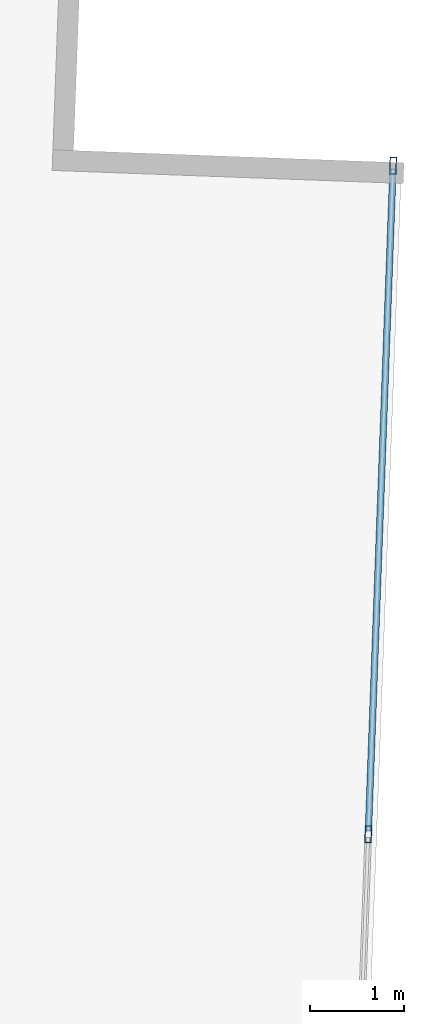
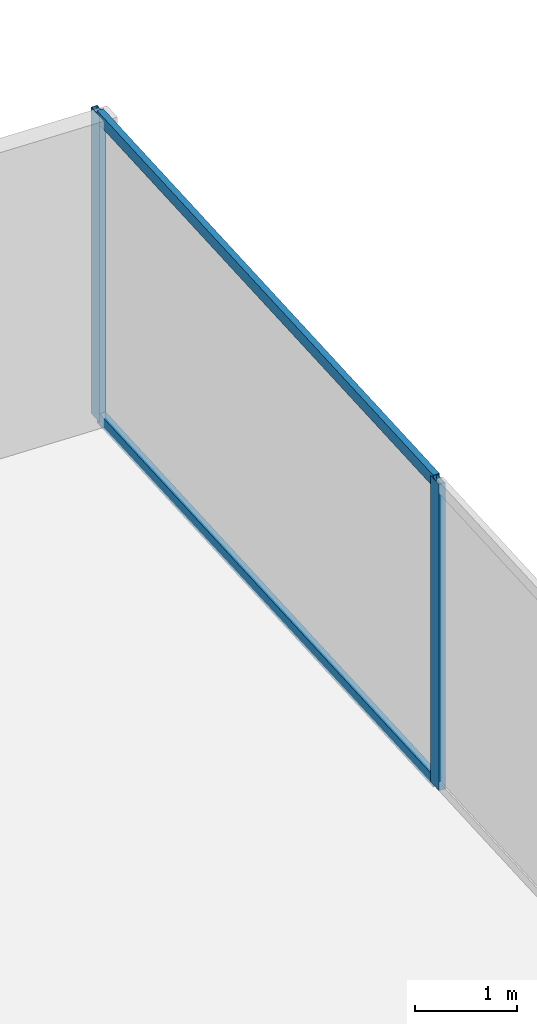
# One storey, part 24 of 30: 4 members, 1 element without a shape of its own.
"""IFC4 building model written with IfcOpenShell, lengths in metres."""

from ifc_helpers import new_model, si_unit, direction, frame, origin, origin_2d, place, context, subcontext, project, spatial, hollow_rectangle, extrude, source, transform, mapped, material, material_profile, profile_set, type_object, type_shapes, element, aggregate, save


model = new_model("IFC4")

# Units and contexts
model_context = context("Model", 3, precision=1e-05, world=origin(), true_north=direction((0.0, 1.0)))
body_context = subcontext(model_context, "Body", "Model", "MODEL_VIEW")
ifc_project = project(units=[si_unit("LENGTHUNIT", "METRE"), si_unit("AREAUNIT", "SQUARE_METRE"), si_unit("VOLUMEUNIT", "CUBIC_METRE"), si_unit("PLANEANGLEUNIT", "RADIAN"), si_unit("MASSUNIT", "GRAM", prefix="KILO")], contexts=[model_context])

# Site, building, storey
site_placement = place(None, origin())
site = spatial("IfcSite", under=ifc_project, at=site_placement, CompositionType="ELEMENT")
building_placement = place(site_placement, origin())
building = spatial("IfcBuilding", under=site, at=building_placement, Name="Krantzveldt Concourse Tower", CompositionType="ELEMENT")
storey_placement = place(building_placement, frame((0.0, 0.0, 40.800048828125)))
storey = spatial("IfcBuildingStorey", under=building, at=storey_placement, Name="L09", CompositionType="ELEMENT", Elevation=40.800048828125)

# Curtain wall, members
ifc_material = material(Name="Anodised aluminium 6063-T6", Category="aluminium")
curtain_wall_type = type_object("IfcCurtainWallType", Name="CW2", PredefinedType="USERDEFINED", material=ifc_material)
curtain_wall_placement = place(storey_placement, origin())
curtain_wall = element("IfcCurtainWall", 1, at=curtain_wall_placement, inside=storey, type_object=curtain_wall_type, Name="CW-L09-F07", ObjectType="UNITISED CURTAIN WALL", PredefinedType="USERDEFINED")
ifc_material_profile_1 = material_profile(ifc_material, hollow_rectangle(XDim=0.070068359375, YDim=0.179931640625, WallThickness=0.0048828125, at=origin_2d()), Name="Anodised aluminium 6063-T6", Category="aluminium")
ifc_profile_set_1 = profile_set([ifc_material_profile_1], Name="Anodised aluminium 6063-T6 - ALU-MULL 180x70x5")
member_type_1 = type_object("IfcMemberType", Name="CW-MUL-180", PredefinedType="MULLION", material=ifc_profile_set_1)
shared_shape_1 = source(origin(), body_context, "Body", "SweptSolid", [
    extrude(hollow_rectangle(XDim=0.070068359375, YDim=0.179931640625, WallThickness=0.0048828125, at=origin_2d()), origin(), (0.0, 0.0, 1.0), 3.669921875),
])
type_shapes(member_type_1, [shared_shape_1])
member_1_placement = place(storey_placement, frame((61.42431640625, 40.099853515625, 0.0), z_axis=(0.0, 0.0, 1.0), x_axis=(-0.999312308986, 0.037079766834, 0.0)))
member_1 = element("IfcMember", 2, at=member_1_placement, type_object=member_type_1, Name="CW-Z12 mullion 6", PredefinedType="MULLION", context=body_context, shape_type="MappedRepresentation", body=[
    mapped(shared_shape_1, transform((0.0, 0.0, 0.0), x_axis=(1.0, 0.0, 0.0), y_axis=(0.0, 1.0, 0.0), z_axis=(0.0, 0.0, 1.0), scale=1.0)),
])
member_2_placement = place(storey_placement, frame((61.688720703125, 47.2265625, 0.0), z_axis=(0.0, 0.0, 1.0), x_axis=(-0.999312308986, 0.037079766834, 0.0)))
member_2 = element("IfcMember", 3, at=member_2_placement, type_object=member_type_1, Name="CW-Z12 mullion 7", PredefinedType="MULLION", context=body_context, shape_type="MappedRepresentation", body=[
    mapped(shared_shape_1, transform((0.0, 0.0, 0.0), x_axis=(1.0, 0.0, 0.0), y_axis=(0.0, 1.0, 0.0), z_axis=(0.0, 0.0, 1.0), scale=1.0)),
])
ifc_material_profile_2 = material_profile(ifc_material, hollow_rectangle(XDim=0.070068359375, YDim=0.139892578125, WallThickness=0.0048828125, at=origin_2d()), Name="Anodised aluminium 6063-T6", Category="aluminium")
ifc_profile_set_2 = profile_set([ifc_material_profile_2], Name="Anodised aluminium 6063-T6 - ALU-TRAN 140x70x5")
member_type_2 = type_object("IfcMemberType", Name="CW-TRN-150", PredefinedType="USERDEFINED", material=ifc_profile_set_2)
shared_shape_2 = source(origin(), body_context, "Body", "SweptSolid", [
    extrude(hollow_rectangle(XDim=0.070068359375, YDim=0.139892578125, WallThickness=0.0048828125, at=origin_2d()), origin(), (0.0, 0.0, 1.0), 7.061767578125),
])
type_shapes(member_type_2, [shared_shape_2])
member_3_placement = place(storey_placement, frame((61.425537109375, 40.134765625, 0.034912109375), z_axis=(0.037096054624, 0.99931170449, 0.0), x_axis=(-0.99931170449, 0.037096054624, 0.0)))
member_3 = element("IfcMember", 4, at=member_3_placement, type_object=member_type_2, Name="CW-Z12 transom 6.1", ObjectType="TRANSOM", PredefinedType="USERDEFINED", context=body_context, shape_type="MappedRepresentation", body=[
    mapped(shared_shape_2, transform((0.0, 0.0, 0.0), x_axis=(1.0, 0.0, 0.0), y_axis=(0.0, 1.0, 0.0), z_axis=(0.0, 0.0, 1.0), scale=1.0)),
])
member_4_placement = place(storey_placement, frame((61.425537109375, 40.134765625, 3.635009765625), z_axis=(0.037096054624, 0.99931170449, 0.0), x_axis=(-0.99931170449, 0.037096054624, 0.0)))
member_4 = element("IfcMember", 5, at=member_4_placement, type_object=member_type_2, Name="CW-Z12 transom 6.2", ObjectType="TRANSOM", PredefinedType="USERDEFINED", context=body_context, shape_type="MappedRepresentation", body=[
    mapped(shared_shape_2, transform((0.0, 0.0, 0.0), x_axis=(1.0, 0.0, 0.0), y_axis=(0.0, 1.0, 0.0), z_axis=(0.0, 0.0, 1.0), scale=1.0)),
])
aggregate(curtain_wall, [member_1, member_2, member_3, member_4])

save(model, "model.ifc")
